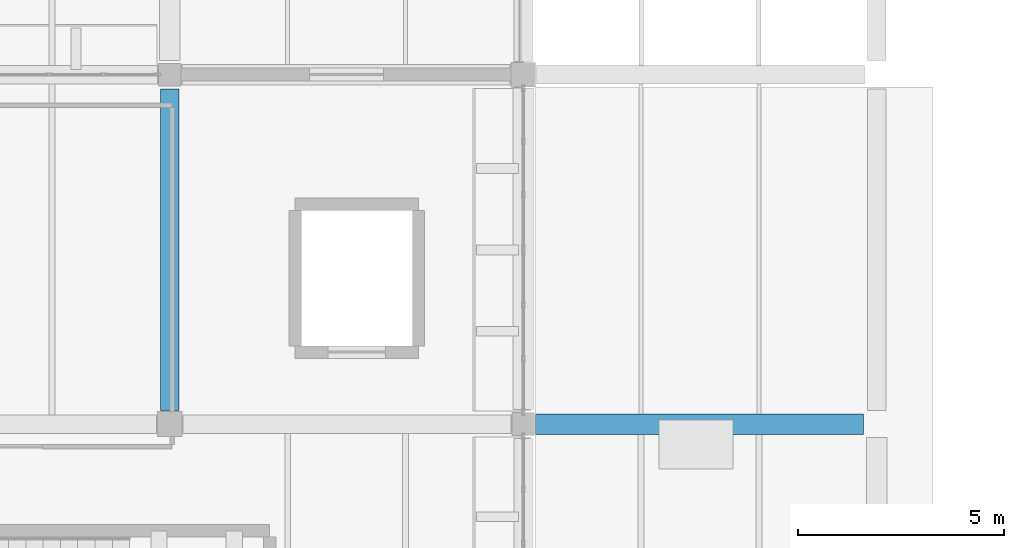
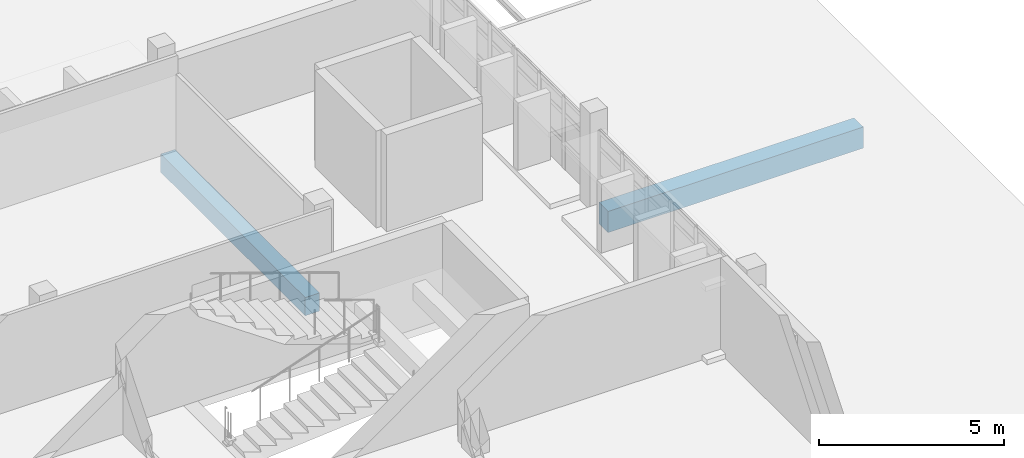
# One storey, part 16 of 55: 2 beams.
"""IFC4 building model written with IfcOpenShell, lengths in metres."""

from ifc_helpers import new_model, si_unit, direction, frame, origin, origin_2d, place, context, subcontext, project, spatial, rectangle, extrude, material, material_profile, profile_set, type_object, element, save


model = new_model("IFC4")

# Units and contexts
model_context = context("Model", 3, precision=1e-05, world=origin(), true_north=direction((0.0, 1.0)))
body_context = subcontext(model_context, "Body", "Model", "MODEL_VIEW")
ifc_project = project(units=[si_unit("LENGTHUNIT", "METRE"), si_unit("AREAUNIT", "SQUARE_METRE"), si_unit("VOLUMEUNIT", "CUBIC_METRE"), si_unit("PLANEANGLEUNIT", "RADIAN"), si_unit("MASSUNIT", "GRAM", prefix="KILO")], contexts=[model_context])

# Site, building, storey
site_placement = place(None, origin())
site = spatial("IfcSite", under=ifc_project, at=site_placement, CompositionType="ELEMENT")
building_placement = place(site_placement, origin())
building = spatial("IfcBuilding", under=site, at=building_placement, Name="Varnakota Cinema and Media Centre", CompositionType="ELEMENT")
storey_placement = place(building_placement, frame((0.0, 0.0, 15.60009765625)))
storey = spatial("IfcBuildingStorey", under=building, at=storey_placement, Name="L04", CompositionType="ELEMENT", Elevation=15.60009765625)

# Beams
ifc_material_1 = material(Name="Concrete M35", Category="concrete")
ifc_material_profile_1 = material_profile(ifc_material_1, rectangle(XDim=0.449951171875, YDim=0.60009765625, at=origin_2d()), Name="RCB 450x600")
ifc_profile_set_1 = profile_set([ifc_material_profile_1], Name="Concrete M35")
beam_type_1 = type_object("IfcBeamType", Name="BM-RC-450x600", PredefinedType="BEAM", material=ifc_profile_set_1)
beam_1_placement = place(storey_placement, frame((17.199951171875, 52.824951171875, -0.550048828125), z_axis=(0.0, 1.0, 0.0), x_axis=(-1.0, 0.0, 0.0)))
element("IfcBeam", 1, at=beam_1_placement, inside=storey, type_object=beam_type_1, Name="L04 girder C/7-8", PredefinedType="BEAM", context=body_context, shape_type="SweptSolid", body=[
    extrude(rectangle(XDim=0.449951171875, YDim=0.60009765625, at=origin_2d()), origin(), (0.0, 0.0, 1.0), 7.824951171875),
])
ifc_material_2 = material(Name="Concrete M35", Category="concrete")
ifc_material_profile_2 = material_profile(ifc_material_2, rectangle(XDim=0.5, YDim=0.699951171875, at=origin_2d()), Name="RCB 500x700")
ifc_profile_set_2 = profile_set([ifc_material_profile_2], Name="Concrete M35")
beam_type_2 = type_object("IfcBeamType", Name="BM-RC-500x700", PredefinedType="BEAM", material=ifc_profile_set_2)
beam_2_placement = place(storey_placement, frame((26.10009765625, 52.5, -0.60009765625), z_axis=(1.0, 0.0, 0.0), x_axis=(0.0, 1.0, 0.0)))
element("IfcBeam", 2, at=beam_2_placement, inside=storey, type_object=beam_type_2, Name="L04 girder D-E/7", PredefinedType="BEAM", context=body_context, shape_type="SweptSolid", body=[
    extrude(rectangle(XDim=0.5, YDim=0.699951171875, at=origin_2d()), origin(), (0.0, 0.0, 1.0), 7.974853515625),
])

save(model, "model.ifc")
